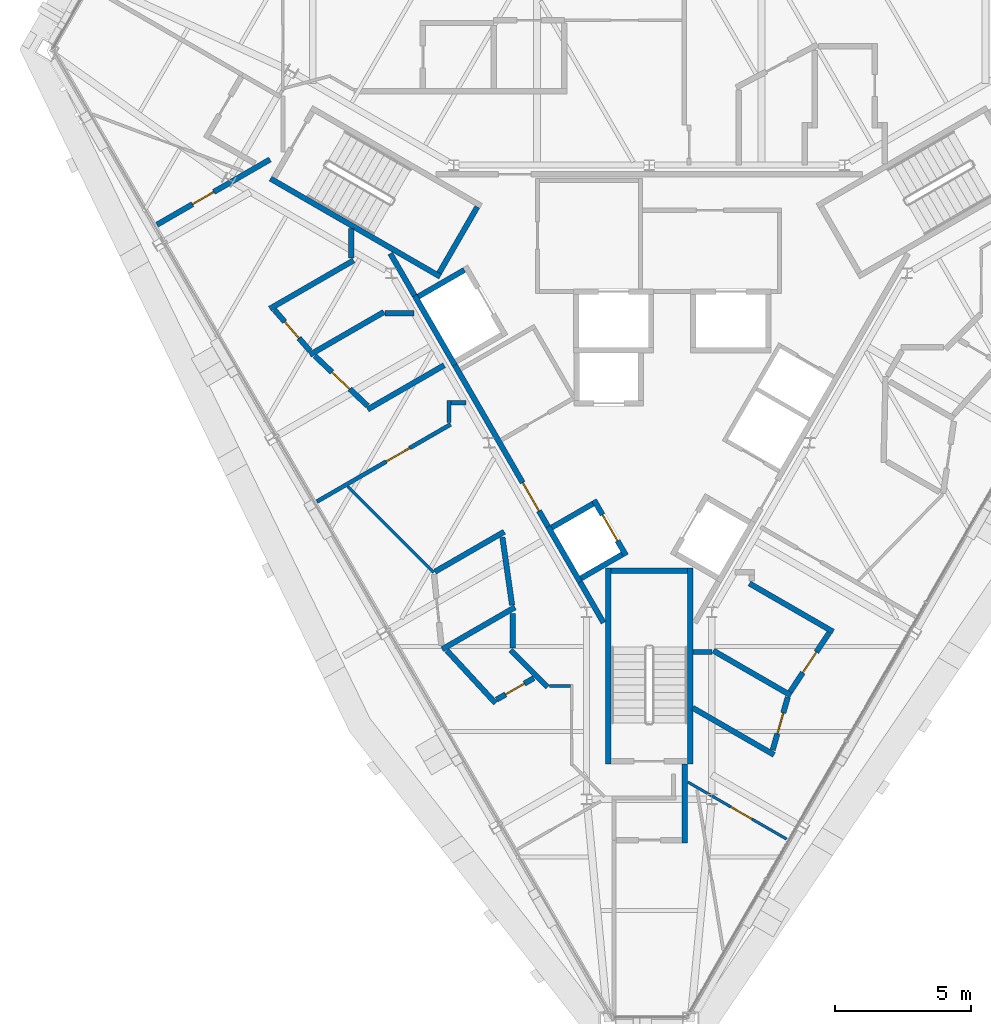
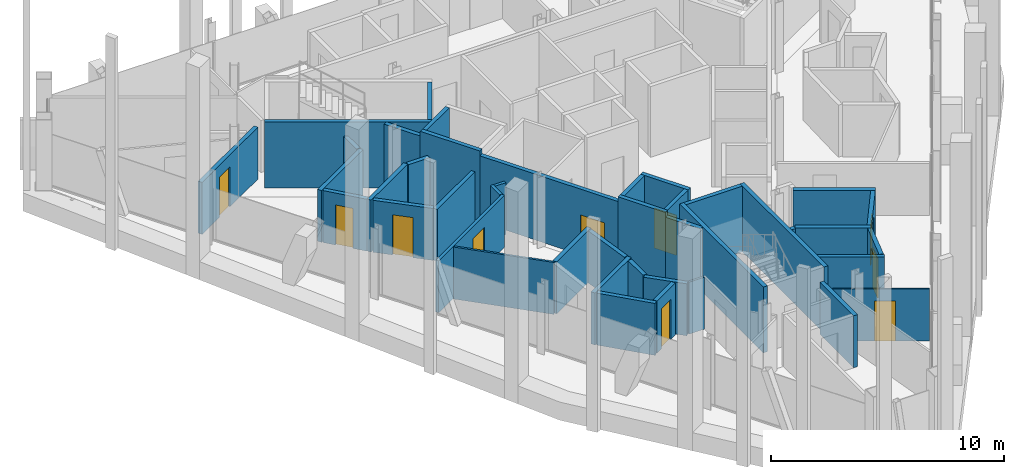
# One storey, part 9 of 15: 42 walls, 10 doors, 10 openings.
"""IFC4 building model written with IfcOpenShell, lengths in metres."""

from ifc_helpers import new_model, si_unit, direction, frame, frame_2d, origin, place, context, subcontext, project, spatial, rectangle, extrude, material, layer, layer_set, type_object, element, fill, save


model = new_model("IFC4")

# Units and contexts
model_context = context("Model", 3, precision=1e-05, world=origin(), true_north=direction((0.0, 1.0)))
body_context = subcontext(model_context, "Body", "Model", "MODEL_VIEW")
ifc_project = project(units=[si_unit("LENGTHUNIT", "METRE"), si_unit("AREAUNIT", "SQUARE_METRE"), si_unit("VOLUMEUNIT", "CUBIC_METRE"), si_unit("PLANEANGLEUNIT", "RADIAN"), si_unit("MASSUNIT", "GRAM", prefix="KILO")], contexts=[model_context])

# Site, building, storey
site_placement = place(None, origin())
site = spatial("IfcSite", under=ifc_project, at=site_placement, CompositionType="ELEMENT")
building_placement = place(site_placement, origin())
building = spatial("IfcBuilding", under=site, at=building_placement, Name="Verrane Prism Tower", CompositionType="ELEMENT")
storey_placement = place(building_placement, frame((0.0, 0.0, 297.300048828125)))
storey = spatial("IfcBuildingStorey", under=building, at=storey_placement, Name="L75", CompositionType="ELEMENT", Elevation=297.300048828125)

# Wall
ifc_material_1 = material(Name="Gypsum board partition", Category="other")
ifc_layer_1 = layer(ifc_material_1, 0.199951171875)
ifc_layer_set_1 = layer_set([ifc_layer_1], Name="CW-200 core boundary wall 2 h")
wall_type_1 = type_object("IfcWallType", Name="CW-200 core boundary wall 2 h", PredefinedType="PARTITIONING", material=ifc_layer_set_1)
wall_1_placement = place(storey_placement, frame((-9.509033203125, 3.550537109375, 0.0), z_axis=(0.0, 0.0, 1.0), x_axis=(0.499999136801, -0.866025902152, 0.0)))
element("IfcWall", 1, at=wall_1_placement, inside=storey, type_object=wall_type_1, Name="Core boundary wall CW3-001", PredefinedType="PARTITIONING", context=body_context, shape_type="SweptSolid", body=[
    extrude(rectangle(XDim=1.7822265625, YDim=0.199951171875, at=frame_2d((0.89111328125, 0.0))), origin(), (0.0, 0.0, 1.0), 3.449951171875),
])

# Wall, opening, door
wall_2_placement = place(storey_placement, frame((-7.14111328125, -0.551025390625, 0.0), z_axis=(0.0, 0.0, 1.0), x_axis=(0.500001302854, -0.86602465158, 0.0)))
wall_2 = element("IfcWall", 2, at=wall_2_placement, inside=storey, type_object=wall_type_1, Name="Core boundary wall CW3-003", PredefinedType="PARTITIONING", context=body_context, shape_type="SweptSolid", body=[
    extrude(rectangle(XDim=6.84619140625, YDim=0.199951171875, at=frame_2d((3.423095703125, 0.0))), origin(), (0.0, 0.0, 1.0), 3.449951171875),
])
opening_1_placement = place(wall_2_placement, frame((4.98291015625, 0.0, 0.0)))
opening_1 = element("IfcOpeningElement", 3, at=opening_1_placement, cuts=wall_2, Name="Opening D75510", PredefinedType="OPENING", context=body_context, shape_type="SweptSolid", body=[
    extrude(rectangle(XDim=1.199951171875, YDim=2.10009765625, at=frame_2d((0.60009765625, 1.050048828125))), frame((0.0, 0.10986328125, 0.0), z_axis=(0.0, -1.0, 0.0), x_axis=(1.0, 0.0, 0.0)), (0.0, 0.0, 1.0), 0.219970703125),
])
ifc_material_2 = material(Name="Timber veneered door leaf", Category="wood")
door_type_1 = type_object("IfcDoorType", Name="DR-1200x2100 FD60 single leaf lift lobby", OperationType="NOTDEFINED", PredefinedType="DOOR", material=ifc_material_2)
door_1_placement = place(opening_1_placement, origin())
door_1 = element("IfcDoor", 4, at=door_1_placement, inside=storey, type_object=door_type_1, Name="Lift lobby door D75510", OperationType="SINGLE_SWING_RIGHT", OverallHeight=2.10009765625, OverallWidth=1.199951171875, PredefinedType="DOOR", context=body_context, shape_type="SweptSolid", body=[
    extrude(rectangle(XDim=1.199951171875, YDim=2.10009765625, at=frame_2d((0.60009765625, 1.050048828125))), frame((0.0, 0.02490234375, 0.0), z_axis=(0.0, -1.0, 0.0), x_axis=(1.0, 0.0, 0.0)), (0.0, 0.0, 1.0), 0.050048828125),
])
fill(opening_1, door_1)

# Walls
wall_3_placement = place(storey_placement, frame((-2.541015625, -8.51904296875, 0.0), z_axis=(0.0, 0.0, 1.0), x_axis=(0.500016142392, -0.86601608377, 0.0)))
element("IfcWall", 5, at=wall_3_placement, inside=storey, type_object=wall_type_1, Name="Core boundary wall CW3-004", PredefinedType="PARTITIONING", context=body_context, shape_type="SweptSolid", body=[
    extrude(rectangle(XDim=1.72705078125, YDim=0.199951171875, at=frame_2d((0.863525390625, 0.0))), origin(), (0.0, 0.0, 1.0), 3.449951171875),
])
ifc_material_3 = material(Name="Concrete C40/50", Category="concrete")
ifc_layer_2 = layer(ifc_material_3, 0.199951171875)
ifc_layer_set_2 = layer_set([ifc_layer_2], Name="CW-200 stair core wall concrete C40/50 3 h")
wall_type_2 = type_object("IfcWallType", Name="CW-200 stair core wall concrete C40/50 3 h", PredefinedType="PARTITIONING", material=ifc_layer_set_2)
wall_4_placement = place(storey_placement, frame((-7.67822265625, 2.700927734375, 0.0), z_axis=(0.0, 0.0, 1.0), x_axis=(-0.866018442252, 0.500012057535, 0.0)))
element("IfcWall", 6, at=wall_4_placement, inside=storey, type_object=wall_type_2, Name="Stair 2 enclosure wall", PredefinedType="PARTITIONING", context=body_context, shape_type="SweptSolid", body=[
    extrude(rectangle(XDim=7.199951171875, YDim=0.199951171875, at=frame_2d((3.60009765625, 0.0))), origin(), (0.0, 0.0, 1.0), 3.449951171875),
])
wall_5_placement = place(storey_placement, frame((-6.314697265625, 5.262451171875, 0.0), z_axis=(0.0, 0.0, 1.0), x_axis=(-0.500049511043, -0.865996816683, 0.0)))
element("IfcWall", 7, at=wall_5_placement, inside=storey, type_object=wall_type_2, Name="Stair 2 enclosure wall", PredefinedType="PARTITIONING", context=body_context, shape_type="SweptSolid", body=[
    extrude(rectangle(XDim=2.800048828125, YDim=0.199951171875, at=frame_2d((1.39990234375, 0.0))), origin(), (0.0, 0.0, 1.0), 3.449951171875),
])
for number, where, z_axis, x_axis, name in (
    (8, (1.5, -8.0, 0.0), (0.0, 0.0, 1.0), (0.0, -1.0, 0.0), "Stair 3 enclosure wall"),
    (9, (-1.5, -8.0, 0.0), (0.0, 0.0, 1.0), (0.0, -1.0, 0.0), "Stair 3 enclosure wall"),
):
    element("IfcWall", number, at=place(storey_placement, frame(where, z_axis=z_axis, x_axis=x_axis)), inside=storey, type_object=wall_type_2, Name=name, PredefinedType="PARTITIONING", context=body_context, shape_type="SweptSolid", body=[
        extrude(rectangle(XDim=7.199951171875, YDim=0.199951171875, at=frame_2d((3.60009765625, 0.0))), origin(), (0.0, 0.0, 1.0), 3.449951171875),
    ])
wall_6_placement = place(storey_placement, frame((-1.39990234375, -8.10009765625, 0.0), z_axis=(0.0, 0.0, 1.0), x_axis=(1.0, 0.0, 0.0)))
element("IfcWall", 10, at=wall_6_placement, inside=storey, type_object=wall_type_2, Name="Stair 3 enclosure wall", PredefinedType="PARTITIONING", context=body_context, shape_type="SweptSolid", body=[
    extrude(rectangle(XDim=2.7998046875, YDim=0.199951171875, at=frame_2d((1.39990234375, 0.0))), origin(), (0.0, 0.0, 1.0), 3.449951171875),
])
ifc_material_4 = material(Name="Gypsum board shaft wall assembly", Category="other")
ifc_layer_3 = layer(ifc_material_4, 0.199951171875)
ifc_layer_set_3 = layer_set([ifc_layer_3], Name="HW-200 lift shaft wall 2 h")
wall_type_3 = type_object("IfcWallType", Name="HW-200 lift shaft wall 2 h", PredefinedType="PARTITIONING", material=ifc_layer_set_3)
for number, where, z_axis, x_axis, name in (
    (11, (-2.50537109375, -8.38037109375, 0.0), (0.0, 0.0, 1.0), (0.866002029911, 0.500040482552, 0.0), "Lift shaft wall"),
    (12, (-3.580322265625, -6.5185546875, 0.0), (0.0, 0.0, 1.0), (0.866002029911, 0.500040482552, 0.0), "Lift shaft wall"),
):
    element("IfcWall", number, at=place(storey_placement, frame(where, z_axis=z_axis, x_axis=x_axis)), inside=storey, type_object=wall_type_3, Name=name, PredefinedType="PARTITIONING", context=body_context, shape_type="SweptSolid", body=[
        extrude(rectangle(XDim=1.749755859375, YDim=0.199951171875, at=frame_2d((0.875, 0.0))), origin(), (0.0, 0.0, 1.0), 3.699951171875),
    ])
wall_7_placement = place(storey_placement, frame((-8.48046875, 1.968505859375, 0.0), z_axis=(0.0, 0.0, 1.0), x_axis=(0.866000020948, 0.500043961785, 0.0)))
element("IfcWall", 13, at=wall_7_placement, inside=storey, type_object=wall_type_3, Name="Lift shaft wall", PredefinedType="PARTITIONING", context=body_context, shape_type="SweptSolid", body=[
    extrude(rectangle(XDim=1.949951171875, YDim=0.199951171875, at=frame_2d((0.97509765625, 0.0))), origin(), (0.0, 0.0, 1.0), 3.699951171875),
])

# Wall, opening, door
wall_8_placement = place(storey_placement, frame((-0.853271484375, -7.5419921875, 0.0), z_axis=(0.0, 0.0, 1.0), x_axis=(-0.500016218704, 0.866016039709, 0.0)))
wall_8 = element("IfcWall", 14, at=wall_8_placement, inside=storey, type_object=wall_type_3, Name="Lift shaft wall", PredefinedType="PARTITIONING", context=body_context, shape_type="SweptSolid", body=[
    extrude(rectangle(XDim=2.35009765625, YDim=0.199951171875, at=frame_2d((1.175048828125, 0.0))), origin(), (0.0, 0.0, 1.0), 3.699951171875),
])
opening_2_placement = place(wall_8_placement, frame((0.625, 0.0, 0.0)))
opening_2 = element("IfcOpeningElement", 15, at=opening_2_placement, cuts=wall_8, Name="Opening D75503", PredefinedType="OPENING", context=body_context, shape_type="SweptSolid", body=[
    extrude(rectangle(XDim=1.10009765625, YDim=2.10009765625, at=frame_2d((0.550048828125, 1.050048828125))), frame((0.0, 0.10986328125, 0.0), z_axis=(0.0, -1.0, 0.0), x_axis=(1.0, 0.0, 0.0)), (0.0, 0.0, 1.0), 0.219970703125),
])
ifc_material_5 = material(Name="Stainless steel sliding landing door", Category="steel")
door_type_2 = type_object("IfcDoorType", Name="LD-1100x2100 lift landing door FD90 sliding", OperationType="NOTDEFINED", PredefinedType="DOOR", material=ifc_material_5)
door_2_placement = place(opening_2_placement, origin())
door_2 = element("IfcDoor", 16, at=door_2_placement, inside=storey, type_object=door_type_2, Name="Bank C lift 1 landing door", OperationType="SLIDING_TO_LEFT", OverallHeight=2.10009765625, OverallWidth=1.10009765625, PredefinedType="DOOR", context=body_context, shape_type="SweptSolid", body=[
    extrude(rectangle(XDim=1.10009765625, YDim=2.10009765625, at=frame_2d((0.550048828125, 1.050048828125))), frame((0.0, 0.02490234375, 0.0), z_axis=(0.0, -1.0, 0.0), x_axis=(1.0, 0.0, 0.0)), (0.0, 0.0, 1.0), 0.050048828125),
])
fill(opening_2, door_2)

# Walls
wall_9_placement = place(storey_placement, frame((-2.5419921875, -8.51708984375, 0.0), z_axis=(0.0, 0.0, 1.0), x_axis=(-0.500016218704, 0.866016039709, 0.0)))
element("IfcWall", 17, at=wall_9_placement, inside=storey, type_object=wall_type_3, Name="Lift shaft wall", PredefinedType="PARTITIONING", context=body_context, shape_type="SweptSolid", body=[
    extrude(rectangle(XDim=2.35009765625, YDim=0.199951171875, at=frame_2d((1.175048828125, 0.0))), origin(), (0.0, 0.0, 1.0), 3.699951171875),
])
wall_10_placement = place(storey_placement, frame((-7.14208984375, -0.549560546875, 0.0), z_axis=(0.0, 0.0, 1.0), x_axis=(-0.49997559174, 0.866039495442, 0.0)))
element("IfcWall", 18, at=wall_10_placement, inside=storey, type_object=wall_type_3, Name="Lift shaft wall", PredefinedType="PARTITIONING", context=body_context, shape_type="SweptSolid", body=[
    extrude(rectangle(XDim=2.949951171875, YDim=0.199951171875, at=frame_2d((1.47509765625, 0.0))), origin(), (0.0, 0.0, 1.0), 3.699951171875),
])
ifc_material_6 = material(Name="Gypsum board partition", Category="other")
ifc_layer_4 = layer(ifc_material_6, 0.10009765625)
ifc_layer_set_4 = layer_set([ifc_layer_4], Name="PW-100 room partition")
wall_type_4 = type_object("IfcWallType", Name="PW-100 room partition", PredefinedType="PARTITIONING", material=ifc_layer_set_4)
wall_11_placement = place(storey_placement, frame((-11.070556640625, -5.00830078125, 0.0), z_axis=(0.0, 0.0, 1.0), x_axis=(0.707079435951, -0.707134125365, 0.0)))
element("IfcWall", 19, at=wall_11_placement, inside=storey, type_object=wall_type_4, Name="Room partition 017", PredefinedType="PARTITIONING", context=body_context, shape_type="SweptSolid", body=[
    extrude(rectangle(XDim=4.464111328125, YDim=0.10009765625, at=frame_2d((2.23193359375, 0.0))), origin(), (0.0, 0.0, 1.0), 2.722900390625),
])
wall_12_placement = place(storey_placement, frame((-3.6640625, -12.339111328125, 0.0), z_axis=(0.0, 0.0, 1.0), x_axis=(1.0, 0.0, 0.0)))
element("IfcWall", 20, at=wall_12_placement, inside=storey, type_object=wall_type_4, Name="Room partition 037", PredefinedType="PARTITIONING", context=body_context, shape_type="SweptSolid", body=[
    extrude(rectangle(XDim=0.76416015625, YDim=0.10009765625, at=frame_2d((0.382080078125, 0.0))), origin(), (0.0, 0.0, 1.0), 2.722900390625),
])

# Wall, opening, door
wall_13_placement = place(storey_placement, frame((5.046875, -17.9609375, 0.0), z_axis=(0.0, 0.0, 1.0), x_axis=(-0.866050460131, 0.499956598623, 0.0)))
wall_13 = element("IfcWall", 21, at=wall_13_placement, inside=storey, type_object=wall_type_4, Name="Room partition 049", PredefinedType="PARTITIONING", context=body_context, shape_type="SweptSolid", body=[
    extrude(rectangle(XDim=4.181884765625, YDim=0.10009765625, at=frame_2d((2.0908203125, 0.0))), origin(), (0.0, 0.0, 1.0), 2.722900390625),
])
opening_3_placement = place(wall_13_placement, frame((1.46923828125, 0.0, 0.0)))
opening_3 = element("IfcOpeningElement", 22, at=opening_3_placement, cuts=wall_13, Name="Opening D75001", PredefinedType="OPENING", context=body_context, shape_type="SweptSolid", body=[
    extrude(rectangle(XDim=0.89990234375, YDim=2.10009765625, at=frame_2d((0.449951171875, 1.050048828125))), frame((0.0, 0.06005859375, 0.0), z_axis=(0.0, -1.0, 0.0), x_axis=(1.0, 0.0, 0.0)), (0.0, 0.0, 1.0), 0.1201171875),
])
ifc_material_7 = material(Name="Timber veneered door leaf", Category="wood")
door_type_3 = type_object("IfcDoorType", Name="DR-900x2100 single leaf inner", OperationType="NOTDEFINED", PredefinedType="DOOR", material=ifc_material_7)
door_3_placement = place(opening_3_placement, origin())
door_3 = element("IfcDoor", 23, at=door_3_placement, inside=storey, type_object=door_type_3, Name="Living And Dining Room door", OperationType="SINGLE_SWING_RIGHT", OverallHeight=2.10009765625, OverallWidth=0.89990234375, PredefinedType="DOOR", context=body_context, shape_type="SweptSolid", body=[
    extrude(rectangle(XDim=0.89990234375, YDim=2.10009765625, at=frame_2d((0.449951171875, 1.050048828125))), frame((0.0, 0.02490234375, 0.0), z_axis=(0.0, -1.0, 0.0), x_axis=(1.0, 0.0, 0.0)), (0.0, 0.0, 1.0), 0.050048828125),
])
fill(opening_3, door_3)

ifc_material_8 = material(Name="Gypsum board partition", Category="other")
ifc_layer_5 = layer(ifc_material_8, 0.14990234375)
ifc_layer_set_5 = layer_set([ifc_layer_5], Name="PW-150 demising wall 1 h")
wall_type_5 = type_object("IfcWallType", Name="PW-150 demising wall 1 h", PredefinedType="PARTITIONING", material=ifc_layer_set_5)
wall_14_placement = place(storey_placement, frame((-12.205078125, -5.562255859375, 0.0), z_axis=(0.0, 0.0, 1.0), x_axis=(0.866006351856, 0.500032997455, 0.0)))
wall_14 = element("IfcWall", 24, at=wall_14_placement, inside=storey, type_object=wall_type_5, Name="Demising wall 015", PredefinedType="PARTITIONING", context=body_context, shape_type="SweptSolid", body=[
    extrude(rectangle(XDim=5.6708984375, YDim=0.14990234375, at=frame_2d((2.83544921875, 0.0))), origin(), (0.0, 0.0, 1.0), 2.722900390625),
])
opening_4_placement = place(wall_14_placement, frame((2.935302734375, 0.0, 0.0)))
opening_4 = element("IfcOpeningElement", 25, at=opening_4_placement, cuts=wall_14, Name="Opening D75023", PredefinedType="OPENING", context=body_context, shape_type="SweptSolid", body=[
    extrude(rectangle(XDim=1.0, YDim=2.10009765625, at=frame_2d((0.5, 1.050048828125))), frame((0.0, 0.0849609375, 0.0), z_axis=(0.0, -1.0, 0.0), x_axis=(1.0, 0.0, 0.0)), (0.0, 0.0, 1.0), 0.169921875),
])
ifc_material_9 = material(Name="Timber veneered door leaf", Category="wood")
door_type_4 = type_object("IfcDoorType", Name="DR-1000x2100 FD20 single leaf inner", OperationType="NOTDEFINED", PredefinedType="DOOR", material=ifc_material_9)
door_4_placement = place(opening_4_placement, origin())
door_4 = element("IfcDoor", 26, at=door_4_placement, inside=storey, type_object=door_type_4, Name="Entrance Foyer door", OperationType="SINGLE_SWING_LEFT", OverallHeight=2.10009765625, OverallWidth=1.0, PredefinedType="DOOR", context=body_context, shape_type="SweptSolid", body=[
    extrude(rectangle(XDim=1.0, YDim=2.10009765625, at=frame_2d((0.5, 1.050048828125))), frame((0.0, 0.02490234375, 0.0), z_axis=(0.0, -1.0, 0.0), x_axis=(1.0, 0.0, 0.0)), (0.0, 0.0, 1.0), 0.050048828125),
])
fill(opening_4, door_4)

# Walls
wall_15_placement = place(storey_placement, frame((-7.35888671875, -2.6640625, 0.0), z_axis=(0.0, 0.0, 1.0), x_axis=(0.0, 1.0, 0.0)))
element("IfcWall", 27, at=wall_15_placement, inside=storey, type_object=wall_type_5, Name="Demising wall 028", PredefinedType="PARTITIONING", context=body_context, shape_type="SweptSolid", body=[
    extrude(rectangle(XDim=0.80810546875, YDim=0.14990234375, at=frame_2d((0.404052734375, 0.0))), origin(), (0.0, 0.0, 1.0), 2.722900390625),
])
wall_16_placement = place(storey_placement, frame((-7.283935546875, -1.930908203125, 0.0), z_axis=(0.0, 0.0, 1.0), x_axis=(1.0, 0.0, 0.0)))
element("IfcWall", 28, at=wall_16_placement, inside=storey, type_object=wall_type_5, Name="Demising wall 029", PredefinedType="PARTITIONING", context=body_context, shape_type="SweptSolid", body=[
    extrude(rectangle(XDim=0.546875, YDim=0.14990234375, at=frame_2d((0.2734375, 0.0))), origin(), (0.0, 0.0, 1.0), 2.722900390625),
])

# Wall, opening, door
ifc_material_10 = material(Name="Gypsum board partition", Category="other")
ifc_layer_6 = layer(ifc_material_10, 0.199951171875)
ifc_layer_set_6 = layer_set([ifc_layer_6], Name="PW-200 plumbing wall")
wall_type_6 = type_object("IfcWallType", Name="PW-200 plumbing wall", PredefinedType="PARTITIONING", material=ifc_layer_set_6)
wall_17_placement = place(storey_placement, frame((-18.077880859375, 4.610107421875, 0.0), z_axis=(0.0, 0.0, 1.0), x_axis=(0.86606672372, 0.499928424942, 0.0)))
wall_17 = element("IfcWall", 29, at=wall_17_placement, inside=storey, type_object=wall_type_6, Name="Plumbing wall 003", PredefinedType="PARTITIONING", context=body_context, shape_type="SweptSolid", body=[
    extrude(rectangle(XDim=4.788330078125, YDim=0.199951171875, at=frame_2d((2.39404296875, 0.0))), origin(), (0.0, 0.0, 1.0), 2.722900390625),
])
opening_5_placement = place(wall_17_placement, frame((1.50390625, 0.0, 0.0)))
opening_5 = element("IfcOpeningElement", 30, at=opening_5_placement, cuts=wall_17, Name="Opening D75021", PredefinedType="OPENING", context=body_context, shape_type="SweptSolid", body=[
    extrude(rectangle(XDim=0.89990234375, YDim=2.10009765625, at=frame_2d((0.449951171875, 1.050048828125))), frame((0.0, 0.10986328125, 0.0), z_axis=(0.0, -1.0, 0.0), x_axis=(1.0, 0.0, 0.0)), (0.0, 0.0, 1.0), 0.219970703125),
])
door_5_placement = place(opening_5_placement, origin())
door_5 = element("IfcDoor", 31, at=door_5_placement, inside=storey, type_object=door_type_3, Name="Living And Dining Room door", OperationType="SINGLE_SWING_LEFT", OverallHeight=2.10009765625, OverallWidth=0.89990234375, PredefinedType="DOOR", context=body_context, shape_type="SweptSolid", body=[
    extrude(rectangle(XDim=0.89990234375, YDim=2.10009765625, at=frame_2d((0.449951171875, 1.050048828125))), frame((0.0, 0.02490234375, 0.0), z_axis=(0.0, -1.0, 0.0), x_axis=(1.0, 0.0, 0.0)), (0.0, 0.0, 1.0), 0.050048828125),
])
fill(opening_5, door_5)

wall_18_placement = place(storey_placement, frame((-13.770263671875, 1.4814453125, 0.0), z_axis=(0.0, 0.0, 1.0), x_axis=(0.655840374671, -0.754899597928, 0.0)))
wall_18 = element("IfcWall", 32, at=wall_18_placement, inside=storey, type_object=wall_type_6, Name="Plumbing wall 007", PredefinedType="PARTITIONING", context=body_context, shape_type="SweptSolid", body=[
    extrude(rectangle(XDim=2.001220703125, YDim=0.199951171875, at=frame_2d((1.00048828125, 0.0))), origin(), (0.0, 0.0, 1.0), 2.722900390625),
])
opening_6_placement = place(wall_18_placement, frame((0.580078125, 0.0, 0.0)))
opening_6 = element("IfcOpeningElement", 33, at=opening_6_placement, cuts=wall_18, Name="Opening D75022", PredefinedType="OPENING", context=body_context, shape_type="SweptSolid", body=[
    extrude(rectangle(XDim=0.800048828125, YDim=2.10009765625, at=frame_2d((0.39990234375, 1.050048828125))), frame((0.0, 0.10986328125, 0.0), z_axis=(0.0, -1.0, 0.0), x_axis=(1.0, 0.0, 0.0)), (0.0, 0.0, 1.0), 0.219970703125),
])
ifc_material_11 = material(Name="Timber veneered door leaf", Category="wood")
door_type_5 = type_object("IfcDoorType", Name="DR-800x2100 single leaf inner", OperationType="NOTDEFINED", PredefinedType="DOOR", material=ifc_material_11)
door_6_placement = place(opening_6_placement, origin())
door_6 = element("IfcDoor", 34, at=door_6_placement, inside=storey, type_object=door_type_5, Name="Powder Room door", OperationType="SINGLE_SWING_RIGHT", OverallHeight=2.10009765625, OverallWidth=0.800048828125, PredefinedType="DOOR", context=body_context, shape_type="SweptSolid", body=[
    extrude(rectangle(XDim=0.800048828125, YDim=2.10009765625, at=frame_2d((0.39990234375, 1.050048828125))), frame((0.0, 0.02490234375, 0.0), z_axis=(0.0, -1.0, 0.0), x_axis=(1.0, 0.0, 0.0)), (0.0, 0.0, 1.0), 0.050048828125),
])
fill(opening_6, door_6)

# Wall
wall_19_placement = place(storey_placement, frame((-13.935546875, 1.52197265625, 0.0), z_axis=(0.0, 0.0, 1.0), x_axis=(0.866075604562, 0.499913039621, 0.0)))
element("IfcWall", 35, at=wall_19_placement, inside=storey, type_object=wall_type_6, Name="Plumbing wall 008", PredefinedType="PARTITIONING", context=body_context, shape_type="SweptSolid", body=[
    extrude(rectangle(XDim=3.548583984375, YDim=0.199951171875, at=frame_2d((1.7744140625, 0.0))), origin(), (0.0, 0.0, 1.0), 2.722900390625),
])

# Wall, opening, door
wall_20_placement = place(storey_placement, frame((-12.281005859375, -0.212890625, 0.0), z_axis=(0.0, 0.0, 1.0), x_axis=(0.725846578303, -0.687856630968, 0.0)))
wall_20 = element("IfcWall", 36, at=wall_20_placement, inside=storey, type_object=wall_type_6, Name="Plumbing wall 013", PredefinedType="PARTITIONING", context=body_context, shape_type="SweptSolid", body=[
    extrude(rectangle(XDim=2.66064453125, YDim=0.199951171875, at=frame_2d((1.330322265625, 0.0))), origin(), (0.0, 0.0, 1.0), 2.722900390625),
])
opening_7_placement = place(wall_20_placement, frame((0.864990234375, 0.0, 0.0)))
opening_7 = element("IfcOpeningElement", 37, at=opening_7_placement, cuts=wall_20, Name="Opening D75024", PredefinedType="OPENING", context=body_context, shape_type="SweptSolid", body=[
    extrude(rectangle(XDim=0.89990234375, YDim=2.10009765625, at=frame_2d((0.449951171875, 1.050048828125))), frame((0.0, 0.10986328125, 0.0), z_axis=(0.0, -1.0, 0.0), x_axis=(1.0, 0.0, 0.0)), (0.0, 0.0, 1.0), 0.219970703125),
])
door_7_placement = place(opening_7_placement, origin())
door_7 = element("IfcDoor", 38, at=door_7_placement, inside=storey, type_object=door_type_3, Name="Kitchen door", OperationType="SINGLE_SWING_RIGHT", OverallHeight=2.10009765625, OverallWidth=0.89990234375, PredefinedType="DOOR", context=body_context, shape_type="SweptSolid", body=[
    extrude(rectangle(XDim=0.89990234375, YDim=2.10009765625, at=frame_2d((0.449951171875, 1.050048828125))), frame((0.0, 0.02490234375, 0.0), z_axis=(0.0, -1.0, 0.0), x_axis=(1.0, 0.0, 0.0)), (0.0, 0.0, 1.0), 0.050048828125),
])
fill(opening_7, door_7)

# Walls
wall_21_placement = place(storey_placement, frame((-12.465576171875, -0.169921875, 0.0), z_axis=(0.0, 0.0, 1.0), x_axis=(0.865952591736, 0.500126092966, 0.0)))
element("IfcWall", 39, at=wall_21_placement, inside=storey, type_object=wall_type_6, Name="Plumbing wall 014", PredefinedType="PARTITIONING", context=body_context, shape_type="SweptSolid", body=[
    extrude(rectangle(XDim=3.141357421875, YDim=0.199951171875, at=frame_2d((1.57080078125, 0.0))), origin(), (0.0, 0.0, 1.0), 2.722900390625),
])
wall_22_placement = place(storey_placement, frame((-10.948974609375, 3.381103515625, 0.0), z_axis=(0.0, 0.0, 1.0), x_axis=(0.0, 1.0, 0.0)))
element("IfcWall", 40, at=wall_22_placement, inside=storey, type_object=wall_type_6, Name="Plumbing wall 018", PredefinedType="PARTITIONING", context=body_context, shape_type="SweptSolid", body=[
    extrude(rectangle(XDim=1.093017578125, YDim=0.199951171875, at=frame_2d((0.54638671875, 0.0))), origin(), (0.0, 0.0, 1.0), 2.722900390625),
])
wall_23_placement = place(storey_placement, frame((-10.345703125, -2.178955078125, 0.0), z_axis=(0.0, 0.0, 1.0), x_axis=(0.86595908408, 0.500114851509, 0.0)))
element("IfcWall", 41, at=wall_23_placement, inside=storey, type_object=wall_type_6, Name="Plumbing wall 020", PredefinedType="PARTITIONING", context=body_context, shape_type="SweptSolid", body=[
    extrude(rectangle(XDim=3.249267578125, YDim=0.199951171875, at=frame_2d((1.62451171875, 0.0))), origin(), (0.0, 0.0, 1.0), 2.722900390625),
])
wall_24_placement = place(storey_placement, frame((-9.697021484375, 1.35107421875, 0.0), z_axis=(0.0, 0.0, 1.0), x_axis=(1.0, 0.0, 0.0)))
element("IfcWall", 42, at=wall_24_placement, inside=storey, type_object=wall_type_6, Name="Plumbing wall 021", PredefinedType="PARTITIONING", context=body_context, shape_type="SweptSolid", body=[
    extrude(rectangle(XDim=1.06494140625, YDim=0.199951171875, at=frame_2d((0.532470703125, 0.0))), origin(), (0.0, 0.0, 1.0), 2.722900390625),
])
wall_25_placement = place(storey_placement, frame((-7.87060546875, -8.139892578125, 0.0), z_axis=(0.0, 0.0, 1.0), x_axis=(0.866106676517, 0.49985920507, 0.0)))
element("IfcWall", 43, at=wall_25_placement, inside=storey, type_object=wall_type_6, Name="Plumbing wall 025", PredefinedType="PARTITIONING", context=body_context, shape_type="SweptSolid", body=[
    extrude(rectangle(XDim=2.936279296875, YDim=0.199951171875, at=frame_2d((1.46826171875, 0.0))), origin(), (0.0, 0.0, 1.0), 2.722900390625),
])
wall_26_placement = place(storey_placement, frame((-7.43408203125, -11.03173828125, 0.0), z_axis=(0.0, 0.0, 1.0), x_axis=(0.678387636859, -0.734704167782, 0.0)))
element("IfcWall", 44, at=wall_26_placement, inside=storey, type_object=wall_type_6, Name="Plumbing wall 026", PredefinedType="PARTITIONING", context=body_context, shape_type="SweptSolid", body=[
    extrude(rectangle(XDim=2.64013671875, YDim=0.199951171875, at=frame_2d((1.320068359375, 0.0))), origin(), (0.0, 0.0, 1.0), 2.722900390625),
])
wall_27_placement = place(storey_placement, frame((-7.605712890625, -10.989990234375, 0.0), z_axis=(0.0, 0.0, 1.0), x_axis=(0.865956409518, 0.500119482538, 0.0)))
element("IfcWall", 45, at=wall_27_placement, inside=storey, type_object=wall_type_6, Name="Plumbing wall 027", PredefinedType="PARTITIONING", context=body_context, shape_type="SweptSolid", body=[
    extrude(rectangle(XDim=3.087158203125, YDim=0.199951171875, at=frame_2d((1.54345703125, 0.0))), origin(), (0.0, 0.0, 1.0), 2.722900390625),
])

# Wall, opening, door
wall_28_placement = place(storey_placement, frame((-5.607177734375, -12.837890625, 0.0), z_axis=(0.0, 0.0, 1.0), x_axis=(0.866095534226, 0.499878510834, 0.0)))
wall_28 = element("IfcWall", 46, at=wall_28_placement, inside=storey, type_object=wall_type_6, Name="Plumbing wall 032", PredefinedType="PARTITIONING", context=body_context, shape_type="SweptSolid", body=[
    extrude(rectangle(XDim=1.580078125, YDim=0.199951171875, at=frame_2d((0.7900390625, 0.0))), origin(), (0.0, 0.0, 1.0), 2.722900390625),
])
opening_8_placement = place(wall_28_placement, frame((0.3798828125, 0.0, 0.0)))
opening_8 = element("IfcOpeningElement", 47, at=opening_8_placement, cuts=wall_28, Name="Opening D75030", PredefinedType="OPENING", context=body_context, shape_type="SweptSolid", body=[
    extrude(rectangle(XDim=0.800048828125, YDim=2.10009765625, at=frame_2d((0.39990234375, 1.050048828125))), frame((0.0, 0.10986328125, 0.0), z_axis=(0.0, -1.0, 0.0), x_axis=(1.0, 0.0, 0.0)), (0.0, 0.0, 1.0), 0.219970703125),
])
door_8_placement = place(opening_8_placement, origin())
door_8 = element("IfcDoor", 48, at=door_8_placement, inside=storey, type_object=door_type_5, Name="Bathroom door", OperationType="SINGLE_SWING_RIGHT", OverallHeight=2.10009765625, OverallWidth=0.800048828125, PredefinedType="DOOR", context=body_context, shape_type="SweptSolid", body=[
    extrude(rectangle(XDim=0.800048828125, YDim=2.10009765625, at=frame_2d((0.39990234375, 1.050048828125))), frame((0.0, 0.02490234375, 0.0), z_axis=(0.0, -1.0, 0.0), x_axis=(1.0, 0.0, 0.0)), (0.0, 0.0, 1.0), 0.050048828125),
])
fill(opening_8, door_8)

# Walls
wall_29_placement = place(storey_placement, frame((-5.392822265625, -6.87060546875, 0.0), z_axis=(0.0, 0.0, 1.0), x_axis=(0.140960508483, -0.990015219604, 0.0)))
element("IfcWall", 49, at=wall_29_placement, inside=storey, type_object=wall_type_6, Name="Plumbing wall 033", PredefinedType="PARTITIONING", context=body_context, shape_type="SweptSolid", body=[
    extrude(rectangle(XDim=2.521728515625, YDim=0.199951171875, at=frame_2d((1.2607421875, 0.0))), origin(), (0.0, 0.0, 1.0), 2.722900390625),
])
wall_30_placement = place(storey_placement, frame((-5.01904296875, -10.948974609375, 0.0), z_axis=(0.0, 0.0, 1.0), x_axis=(0.0, 1.0, 0.0)))
element("IfcWall", 50, at=wall_30_placement, inside=storey, type_object=wall_type_6, Name="Plumbing wall 034", PredefinedType="PARTITIONING", context=body_context, shape_type="SweptSolid", body=[
    extrude(rectangle(XDim=1.282958984375, YDim=0.199951171875, at=frame_2d((0.6416015625, 0.0))), origin(), (0.0, 0.0, 1.0), 2.722900390625),
])
wall_31_placement = place(storey_placement, frame((-5.089599609375, -11.018310546875, 0.0), z_axis=(0.0, 0.0, 1.0), x_axis=(0.707106781187, -0.707106781187, 0.0)))
element("IfcWall", 51, at=wall_31_placement, inside=storey, type_object=wall_type_6, Name="Plumbing wall 035", PredefinedType="PARTITIONING", context=body_context, shape_type="SweptSolid", body=[
    extrude(rectangle(XDim=1.917724609375, YDim=0.199951171875, at=frame_2d((0.958984375, 0.0))), origin(), (0.0, 0.0, 1.0), 2.722900390625),
])
wall_32_placement = place(storey_placement, frame((1.300048828125, -18.10009765625, 0.0), z_axis=(0.0, 0.0, 1.0), x_axis=(0.0, 1.0, 0.0)))
element("IfcWall", 52, at=wall_32_placement, inside=storey, type_object=wall_type_6, Name="Plumbing wall 048", PredefinedType="PARTITIONING", context=body_context, shape_type="SweptSolid", body=[
    extrude(rectangle(XDim=2.900146484375, YDim=0.199951171875, at=frame_2d((1.4501953125, 0.0))), origin(), (0.0, 0.0, 1.0), 2.722900390625),
])
wall_33_placement = place(storey_placement, frame((1.60009765625, -13.14208984375, 0.0), z_axis=(0.0, 0.0, 1.0), x_axis=(0.866078307516, -0.499908356852, 0.0)))
element("IfcWall", 53, at=wall_33_placement, inside=storey, type_object=wall_type_6, Name="Plumbing wall 051", PredefinedType="PARTITIONING", context=body_context, shape_type="SweptSolid", body=[
    extrude(rectangle(XDim=3.448486328125, YDim=0.199951171875, at=frame_2d((1.72412109375, 0.0))), origin(), (0.0, 0.0, 1.0), 2.722900390625),
])
wall_34_placement = place(storey_placement, frame((1.60009765625, -11.089111328125, 0.0), z_axis=(0.0, 0.0, 1.0), x_axis=(1.0, 0.0, 0.0)))
element("IfcWall", 54, at=wall_34_placement, inside=storey, type_object=wall_type_6, Name="Plumbing wall 052", PredefinedType="PARTITIONING", context=body_context, shape_type="SweptSolid", body=[
    extrude(rectangle(XDim=0.708984375, YDim=0.199951171875, at=frame_2d((0.3544921875, 0.0))), origin(), (0.0, 0.0, 1.0), 2.722900390625),
])
wall_35_placement = place(storey_placement, frame((2.357421875, -11.0390625, 0.0), z_axis=(0.0, 0.0, 1.0), x_axis=(0.865999185644, -0.500045408402, 0.0)))
element("IfcWall", 55, at=wall_35_placement, inside=storey, type_object=wall_type_6, Name="Plumbing wall 054", PredefinedType="PARTITIONING", context=body_context, shape_type="SweptSolid", body=[
    extrude(rectangle(XDim=3.293701171875, YDim=0.199951171875, at=frame_2d((1.64697265625, 0.0))), origin(), (0.0, 0.0, 1.0), 2.722900390625),
])
wall_36_placement = place(storey_placement, frame((3.682373046875, -8.571044921875, 0.0), z_axis=(0.0, 0.0, 1.0), x_axis=(0.866075604562, -0.499913039621, 0.0)))
element("IfcWall", 56, at=wall_36_placement, inside=storey, type_object=wall_type_6, Name="Plumbing wall 059", PredefinedType="PARTITIONING", context=body_context, shape_type="SweptSolid", body=[
    extrude(rectangle(XDim=3.548583984375, YDim=0.199951171875, at=frame_2d((1.7744140625, 0.0))), origin(), (0.0, 0.0, 1.0), 2.722900390625),
])

# Wall, opening, door
wall_37_placement = place(storey_placement, frame((4.53564453125, -14.69091796875, 0.0), z_axis=(0.0, 0.0, 1.0), x_axis=(0.27486499374, 0.961482831472, 0.0)))
wall_37 = element("IfcWall", 57, at=wall_37_placement, inside=storey, type_object=wall_type_6, Name="Plumbing wall 061", PredefinedType="PARTITIONING", context=body_context, shape_type="SweptSolid", body=[
    extrude(rectangle(XDim=2.01708984375, YDim=0.199951171875, at=frame_2d((1.008544921875, 0.0))), origin(), (0.0, 0.0, 1.0), 2.722900390625),
])
opening_9_placement = place(wall_37_placement, frame((0.6201171875, 0.0, 0.0)))
opening_9 = element("IfcOpeningElement", 58, at=opening_9_placement, cuts=wall_37, Name="Opening D75002", PredefinedType="OPENING", context=body_context, shape_type="SweptSolid", body=[
    extrude(rectangle(XDim=0.800048828125, YDim=2.10009765625, at=frame_2d((0.39990234375, 1.050048828125))), frame((0.0, 0.10986328125, 0.0), z_axis=(0.0, -1.0, 0.0), x_axis=(1.0, 0.0, 0.0)), (0.0, 0.0, 1.0), 0.219970703125),
])
door_9_placement = place(opening_9_placement, origin())
door_9 = element("IfcDoor", 59, at=door_9_placement, inside=storey, type_object=door_type_5, Name="Powder Room door", OperationType="SINGLE_SWING_RIGHT", OverallHeight=2.10009765625, OverallWidth=0.800048828125, PredefinedType="DOOR", context=body_context, shape_type="SweptSolid", body=[
    extrude(rectangle(XDim=0.800048828125, YDim=2.10009765625, at=frame_2d((0.39990234375, 1.050048828125))), frame((0.0, 0.02490234375, 0.0), z_axis=(0.0, -1.0, 0.0), x_axis=(1.0, 0.0, 0.0)), (0.0, 0.0, 1.0), 0.050048828125),
])
fill(opening_9, door_9)

wall_38_placement = place(storey_placement, frame((5.180908203125, -12.54833984375, 0.0), z_axis=(0.0, 0.0, 1.0), x_axis=(0.55106277299, 0.834463792039, 0.0)))
wall_38 = element("IfcWall", 60, at=wall_38_placement, inside=storey, type_object=wall_type_6, Name="Plumbing wall 062", PredefinedType="PARTITIONING", context=body_context, shape_type="SweptSolid", body=[
    extrude(rectangle(XDim=2.59033203125, YDim=0.199951171875, at=frame_2d((1.295166015625, 0.0))), origin(), (0.0, 0.0, 1.0), 2.722900390625),
])
opening_10_placement = place(wall_38_placement, frame((0.844970703125, 0.0, 0.0)))
opening_10 = element("IfcOpeningElement", 61, at=opening_10_placement, cuts=wall_38, Name="Opening D75004", PredefinedType="OPENING", context=body_context, shape_type="SweptSolid", body=[
    extrude(rectangle(XDim=0.89990234375, YDim=2.10009765625, at=frame_2d((0.449951171875, 1.050048828125))), frame((0.0, 0.10986328125, 0.0), z_axis=(0.0, -1.0, 0.0), x_axis=(1.0, 0.0, 0.0)), (0.0, 0.0, 1.0), 0.219970703125),
])
door_10_placement = place(opening_10_placement, origin())
door_10 = element("IfcDoor", 62, at=door_10_placement, inside=storey, type_object=door_type_3, Name="Kitchen door", OperationType="SINGLE_SWING_RIGHT", OverallHeight=2.10009765625, OverallWidth=0.89990234375, PredefinedType="DOOR", context=body_context, shape_type="SweptSolid", body=[
    extrude(rectangle(XDim=0.89990234375, YDim=2.10009765625, at=frame_2d((0.449951171875, 1.050048828125))), frame((0.0, 0.02490234375, 0.0), z_axis=(0.0, -1.0, 0.0), x_axis=(1.0, 0.0, 0.0)), (0.0, 0.0, 1.0), 0.050048828125),
])
fill(opening_10, door_10)

save(model, "model.ifc")
